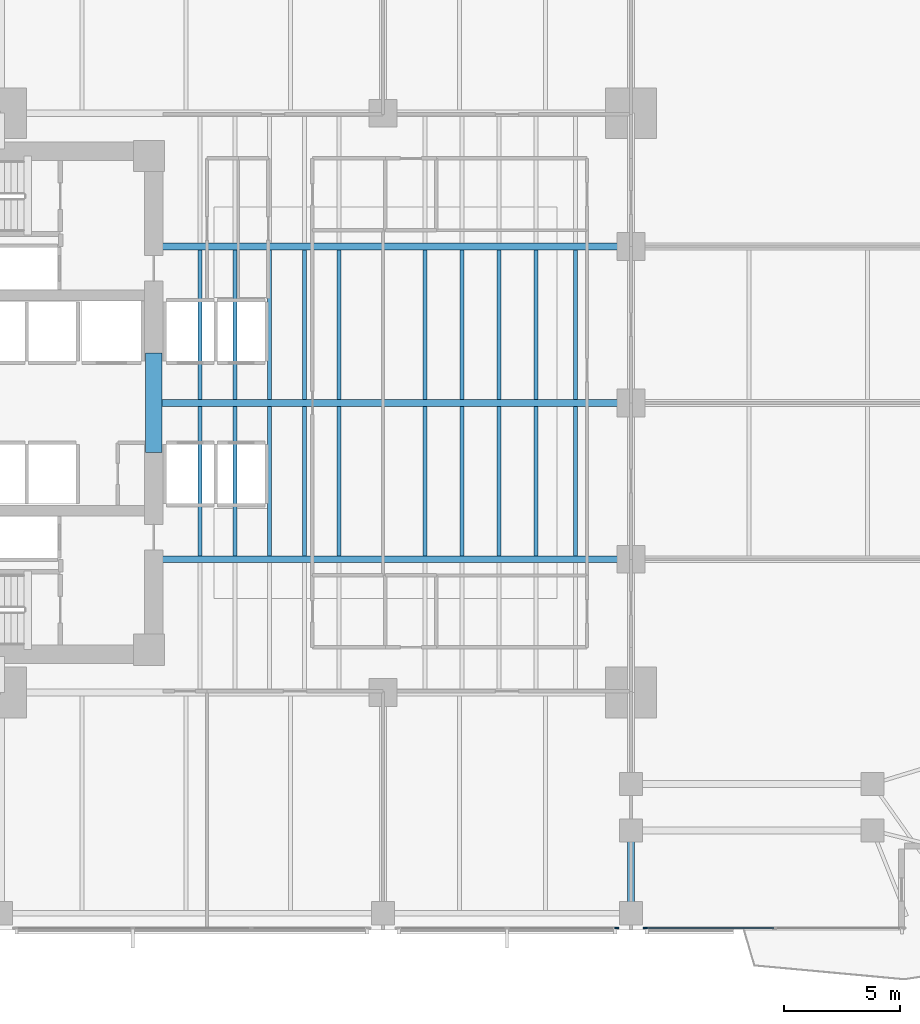
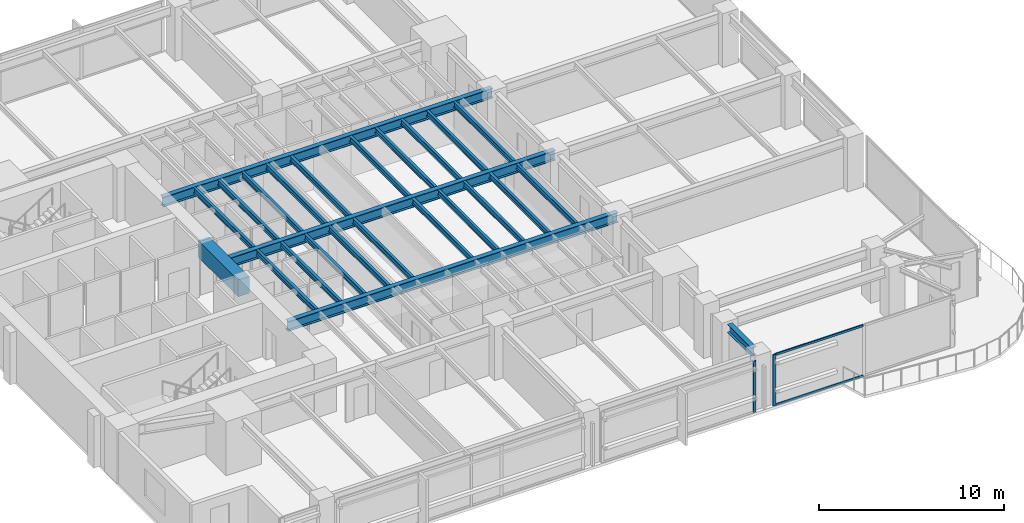
# One storey, part 3 of 15: 25 beams, 4 members, 2 elements without a shape of their own.
"""IFC4 building model written with IfcOpenShell, lengths in metres."""

from ifc_helpers import new_model, si_unit, direction, frame, origin, origin_2d, place, context, subcontext, project, spatial, rectangle, i_section, extrude, material, layer, layer_set, material_profile, profile_set, type_object, element, aggregate, save


model = new_model("IFC4")

# Units and contexts
model_context = context("Model", 3, precision=1e-05, world=origin(), true_north=direction((0.0, 1.0)))
body_context = subcontext(model_context, "Body", "Model", "MODEL_VIEW")
ifc_project = project(units=[si_unit("LENGTHUNIT", "METRE"), si_unit("AREAUNIT", "SQUARE_METRE"), si_unit("VOLUMEUNIT", "CUBIC_METRE"), si_unit("PLANEANGLEUNIT", "RADIAN"), si_unit("MASSUNIT", "GRAM", prefix="KILO")], contexts=[model_context])

# Site, building, storey
site_placement = place(None, origin())
site = spatial("IfcSite", under=ifc_project, at=site_placement, CompositionType="ELEMENT")
building_placement = place(site_placement, origin())
building = spatial("IfcBuilding", under=site, at=building_placement, Name="Kinhvarn Gate Tower", CompositionType="ELEMENT")
storey_placement = place(building_placement, frame((0.0, 0.0, 32.699951171875)))
storey = spatial("IfcBuildingStorey", under=building, at=storey_placement, Name="L07", CompositionType="ELEMENT", Elevation=32.699951171875)

# Beam
ifc_material_1 = material(Name="Concrete C70/85", Category="concrete")
ifc_material_profile_1 = material_profile(ifc_material_1, rectangle(XDim=0.699951171875, YDim=1.10009765625, at=origin_2d()), Name="RC 700x1100")
ifc_profile_set_1 = profile_set([ifc_material_profile_1], Name="Concrete C70/85")
beam_type_1 = type_object("IfcBeamType", Name="BM-CB-1100", PredefinedType="LINTEL", material=ifc_profile_set_1)
beam_1_placement = place(storey_placement, frame((17.60009765625, 23.10009765625, 2.820068359375), z_axis=(0.0, 1.0, 0.0), x_axis=(-1.0, 0.0, 0.0)))
element("IfcBeam", 1, at=beam_1_placement, inside=storey, type_object=beam_type_1, Name="Core East Portal Coupling Beam L07", PredefinedType="LINTEL", context=body_context, shape_type="SweptSolid", body=[
    extrude(rectangle(XDim=0.699951171875, YDim=1.10009765625, at=origin_2d()), origin(), (0.0, 0.0, 1.0), 4.2998046875),
])

# Curtain wall, member
ifc_material_2 = material(Name="Anodised aluminium AW-6063", Category="aluminium")
ifc_layer = layer(ifc_material_2, 0.179931640625)
ifc_layer_set = layer_set([ifc_layer], Name="Anodised aluminium AW-6063")
curtain_wall_type = type_object("IfcCurtainWallType", Name="CW-SYS-2", PredefinedType="NOTDEFINED", material=ifc_layer_set)
curtain_wall_1_placement = place(storey_placement, origin())
curtain_wall_1 = element("IfcCurtainWall", 2, at=curtain_wall_1_placement, inside=storey, type_object=curtain_wall_type, Name="Curtain Wall CW2 (L07)", PredefinedType="NOTDEFINED")
ifc_material_profile_2 = material_profile(ifc_material_2, rectangle(XDim=0.070068359375, YDim=0.179931640625, at=origin_2d()), Name="ALU 70x180")
ifc_profile_set_2 = profile_set([ifc_material_profile_2], Name="Anodised aluminium AW-6063")
member_type_1 = type_object("IfcMemberType", Name="CW-MUL-180", PredefinedType="MULLION", material=ifc_profile_set_2)
member_1_placement = place(storey_placement, frame((37.5849609375, 2.590087890625, 0.0), z_axis=(0.0, 0.0, 1.0), x_axis=(0.0, 1.0, 0.0)))
member_1 = element("IfcMember", 3, at=member_1_placement, type_object=member_type_1, Name="CW2 mullion 3", PredefinedType="MULLION", context=body_context, shape_type="SweptSolid", body=[
    extrude(rectangle(XDim=0.070068359375, YDim=0.179931640625, at=origin_2d()), origin(), (0.0, 0.0, 1.0), 3.3701171875),
])
aggregate(curtain_wall_1, [member_1])

# Curtain wall, members
curtain_wall_2_placement = place(storey_placement, origin())
curtain_wall_2 = element("IfcCurtainWall", 4, at=curtain_wall_2_placement, inside=storey, type_object=curtain_wall_type, Name="Curtain Wall CW2 (L07)", PredefinedType="NOTDEFINED")
member_2_placement = place(storey_placement, frame((38.81494140625, 2.590087890625, 0.0), z_axis=(0.0, 0.0, 1.0), x_axis=(0.0, 1.0, 0.0)))
member_2 = element("IfcMember", 5, at=member_2_placement, type_object=member_type_1, Name="CW2 mullion 1", PredefinedType="MULLION", context=body_context, shape_type="SweptSolid", body=[
    extrude(rectangle(XDim=0.070068359375, YDim=0.179931640625, at=origin_2d()), origin(), (0.0, 0.0, 1.0), 3.3701171875),
])
ifc_material_profile_3 = material_profile(ifc_material_2, rectangle(XDim=0.070068359375, YDim=0.139892578125, at=origin_2d()), Name="ALU 70x140")
ifc_profile_set_3 = profile_set([ifc_material_profile_3], Name="Anodised aluminium AW-6063")
member_type_2 = type_object("IfcMemberType", Name="CW-TRN-140", PredefinedType="USERDEFINED", material=ifc_profile_set_3)
member_3_placement = place(storey_placement, frame((38.85009765625, 2.590087890625, 0.03515625), z_axis=(1.0, 0.0, 0.0), x_axis=(0.0, 1.0, 0.0)))
member_3 = element("IfcMember", 6, at=member_3_placement, type_object=member_type_2, Name="CW2 transom 1.1", ObjectType="TRANSOM", PredefinedType="USERDEFINED", context=body_context, shape_type="SweptSolid", body=[
    extrude(rectangle(XDim=0.070068359375, YDim=0.139892578125, at=origin_2d()), origin(), (0.0, 0.0, 1.0), 5.5048828125),
])
member_4_placement = place(storey_placement, frame((38.85009765625, 2.590087890625, 3.3349609375), z_axis=(1.0, 0.0, 0.0), x_axis=(0.0, 1.0, 0.0)))
member_4 = element("IfcMember", 7, at=member_4_placement, type_object=member_type_2, Name="CW2 transom 1.2", ObjectType="TRANSOM", PredefinedType="USERDEFINED", context=body_context, shape_type="SweptSolid", body=[
    extrude(rectangle(XDim=0.070068359375, YDim=0.139892578125, at=origin_2d()), origin(), (0.0, 0.0, 1.0), 5.5048828125),
])
aggregate(curtain_wall_2, [member_2, member_3, member_4])

# Beams
ifc_material_3 = material(Name="Steel S355", Category="steel")
ifc_material_profile_4 = material_profile(ifc_material_3, i_section(OverallWidth=0.300048828125, OverallDepth=0.550048828125, WebThickness=0.014892578125, FlangeThickness=0.029052734375, at=origin_2d()), Name="HEB 550")
ifc_profile_set_4 = profile_set([ifc_material_profile_4], Name="Steel S355")
beam_type_2 = type_object("IfcBeamType", Name="STL-HEB550", PredefinedType="BEAM", material=ifc_profile_set_4)
beam_2_placement = place(storey_placement, frame((38.199951171875, 3.705078125, 3.094970703125), z_axis=(0.0, 1.0, 0.0), x_axis=(-1.0, 0.0, 0.0)))
element("IfcBeam", 8, at=beam_2_placement, inside=storey, type_object=beam_type_2, Name="Floor Beam PG-15 (L07 MCE-S-A0)", PredefinedType="BEAM", context=body_context, shape_type="SweptSolid", body=[
    extrude(i_section(OverallWidth=0.300048828125, OverallDepth=0.550048828125, WebThickness=0.014892578125, FlangeThickness=0.029052734375, at=origin_2d()), origin(), (0.0, 0.0, 1.0), 2.60986328125),
])
ifc_material_profile_5 = material_profile(ifc_material_3, i_section(OverallWidth=0.300048828125, OverallDepth=0.64990234375, WebThickness=0.01611328125, FlangeThickness=0.031005859375, at=origin_2d()), Name="HEB 650")
ifc_profile_set_5 = profile_set([ifc_material_profile_5], Name="Steel S355")
beam_type_3 = type_object("IfcBeamType", Name="STL-HEB650", PredefinedType="BEAM", material=ifc_profile_set_5)
beam_3_placement = place(storey_placement, frame((17.64990234375, 18.5, 3.045166015625), z_axis=(1.0, 0.0, 0.0), x_axis=(0.0, 1.0, 0.0)))
element("IfcBeam", 9, at=beam_3_placement, inside=storey, type_object=beam_type_3, Name="Floor Beam PG-17 (L07 EW1-Y18)", PredefinedType="BEAM", context=body_context, shape_type="SweptSolid", body=[
    extrude(i_section(OverallWidth=0.300048828125, OverallDepth=0.64990234375, WebThickness=0.01611328125, FlangeThickness=0.031005859375, at=origin_2d()), origin(), (0.0, 0.0, 1.0), 20.550048828125),
])
beam_4_placement = place(storey_placement, frame((17.949951171875, 25.25, 3.045166015625), z_axis=(1.0, 0.0, 0.0), x_axis=(0.0, 1.0, 0.0)))
element("IfcBeam", 10, at=beam_4_placement, inside=storey, type_object=beam_type_3, Name="Floor Beam PG-17 (L07 EW1-Y25)", PredefinedType="BEAM", context=body_context, shape_type="SweptSolid", body=[
    extrude(i_section(OverallWidth=0.300048828125, OverallDepth=0.64990234375, WebThickness=0.01611328125, FlangeThickness=0.031005859375, at=origin_2d()), origin(), (0.0, 0.0, 1.0), 20.25),
])
beam_5_placement = place(storey_placement, frame((17.64990234375, 32.0, 3.045166015625), z_axis=(1.0, 0.0, 0.0), x_axis=(0.0, 1.0, 0.0)))
element("IfcBeam", 11, at=beam_5_placement, inside=storey, type_object=beam_type_3, Name="Floor Beam PG-17 (L07 EW1-Y32)", PredefinedType="BEAM", context=body_context, shape_type="SweptSolid", body=[
    extrude(i_section(OverallWidth=0.300048828125, OverallDepth=0.64990234375, WebThickness=0.01611328125, FlangeThickness=0.031005859375, at=origin_2d()), origin(), (0.0, 0.0, 1.0), 20.550048828125),
])
ifc_material_profile_6 = material_profile(ifc_material_3, i_section(OverallWidth=0.169921875, OverallDepth=0.360107421875, WebThickness=0.008056640625, FlangeThickness=0.0126953125, at=origin_2d()), Name="IPE 360")
ifc_profile_set_6 = profile_set([ifc_material_profile_6], Name="Steel S355")
beam_type_4 = type_object("IfcBeamType", Name="STL-IPE360", PredefinedType="JOIST", material=ifc_profile_set_6)
for number, where, z_axis, x_axis, name in (
    (12, (19.60009765625, 18.64990234375, 3.18994140625), (0.0, 1.0, 0.0), (-1.0, 0.0, 0.0), "Floor Joist SB-04 (L07 JC-X196-1)"),
    (13, (19.60009765625, 25.39990234375, 3.18994140625), (0.0, 1.0, 0.0), (-1.0, 0.0, 0.0), "Floor Joist SB-04 (L07 JC-X196-2)"),
    (14, (21.10009765625, 18.64990234375, 3.18994140625), (0.0, 1.0, 0.0), (-1.0, 0.0, 0.0), "Floor Joist SB-04 (L07 JC-X211-1)"),
    (15, (21.10009765625, 25.39990234375, 3.18994140625), (0.0, 1.0, 0.0), (-1.0, 0.0, 0.0), "Floor Joist SB-04 (L07 JC-X211-2)"),
    (16, (22.60009765625, 18.64990234375, 3.18994140625), (0.0, 1.0, 0.0), (-1.0, 0.0, 0.0), "Floor Joist SB-04 (L07 JC-X226-1)"),
    (17, (22.60009765625, 25.39990234375, 3.18994140625), (0.0, 1.0, 0.0), (-1.0, 0.0, 0.0), "Floor Joist SB-04 (L07 JC-X226-2)"),
    (18, (24.10009765625, 18.64990234375, 3.18994140625), (0.0, 1.0, 0.0), (-1.0, 0.0, 0.0), "Floor Joist SB-04 (L07 JC-X241-1)"),
    (19, (24.10009765625, 25.39990234375, 3.18994140625), (0.0, 1.0, 0.0), (-1.0, 0.0, 0.0), "Floor Joist SB-04 (L07 JC-X241-2)"),
    (20, (25.60009765625, 18.64990234375, 3.18994140625), (0.0, 1.0, 0.0), (-1.0, 0.0, 0.0), "Floor Joist SB-04 (L07 JC-X256-1)"),
    (21, (25.60009765625, 25.39990234375, 3.18994140625), (0.0, 1.0, 0.0), (-1.0, 0.0, 0.0), "Floor Joist SB-04 (L07 JC-X256-2)"),
    (22, (29.300048828125, 18.64990234375, 3.18994140625), (0.0, 1.0, 0.0), (-1.0, 0.0, 0.0), "Floor Joist SB-04 (L07 JC-X293-1)"),
    (23, (29.300048828125, 25.39990234375, 3.18994140625), (0.0, 1.0, 0.0), (-1.0, 0.0, 0.0), "Floor Joist SB-04 (L07 JC-X293-2)"),
    (24, (30.89990234375, 18.64990234375, 3.18994140625), (0.0, 1.0, 0.0), (-1.0, 0.0, 0.0), "Floor Joist SB-04 (L07 JC-X309-1)"),
    (25, (30.89990234375, 25.39990234375, 3.18994140625), (0.0, 1.0, 0.0), (-1.0, 0.0, 0.0), "Floor Joist SB-04 (L07 JC-X309-2)"),
    (26, (32.5, 18.64990234375, 3.18994140625), (0.0, 1.0, 0.0), (-1.0, 0.0, 0.0), "Floor Joist SB-04 (L07 JC-X325-1)"),
    (27, (32.5, 25.39990234375, 3.18994140625), (0.0, 1.0, 0.0), (-1.0, 0.0, 0.0), "Floor Joist SB-04 (L07 JC-X325-2)"),
    (28, (34.10009765625, 18.64990234375, 3.18994140625), (0.0, 1.0, 0.0), (-1.0, 0.0, 0.0), "Floor Joist SB-04 (L07 JC-X341-1)"),
    (29, (34.10009765625, 25.39990234375, 3.18994140625), (0.0, 1.0, 0.0), (-1.0, 0.0, 0.0), "Floor Joist SB-04 (L07 JC-X341-2)"),
    (30, (35.800048828125, 18.64990234375, 3.18994140625), (0.0, 1.0, 0.0), (-1.0, 0.0, 0.0), "Floor Joist SB-04 (L07 JC-X358-1)"),
    (31, (35.800048828125, 25.39990234375, 3.18994140625), (0.0, 1.0, 0.0), (-1.0, 0.0, 0.0), "Floor Joist SB-04 (L07 JC-X358-2)"),
):
    element("IfcBeam", number, at=place(storey_placement, frame(where, z_axis=z_axis, x_axis=x_axis)), inside=storey, type_object=beam_type_4, Name=name, PredefinedType="JOIST", context=body_context, shape_type="SweptSolid", body=[
        extrude(i_section(OverallWidth=0.169921875, OverallDepth=0.360107421875, WebThickness=0.008056640625, FlangeThickness=0.0126953125, at=origin_2d()), origin(), (0.0, 0.0, 1.0), 6.4501953125),
    ])

save(model, "model.ifc")
